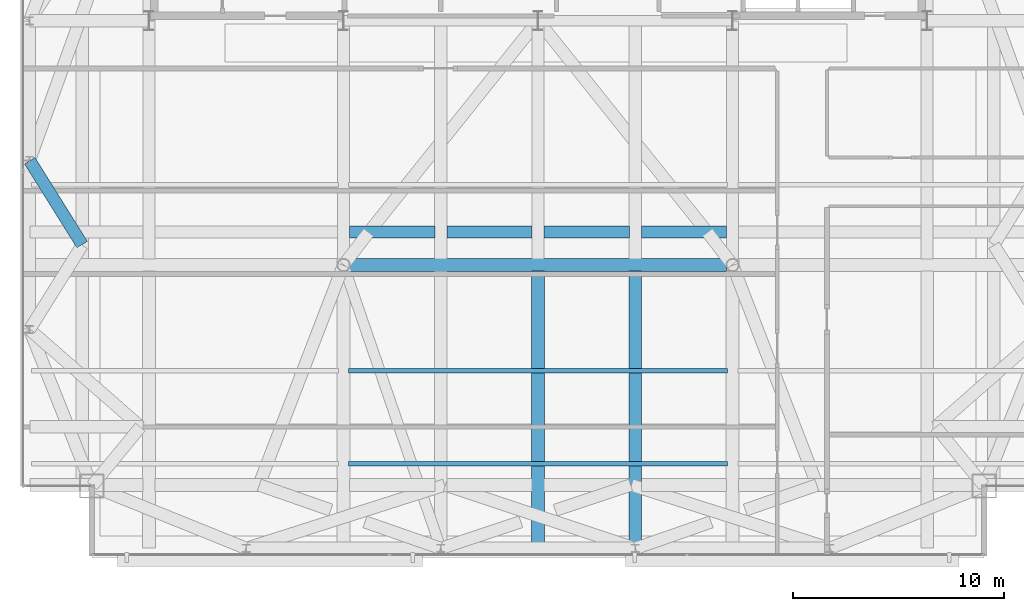
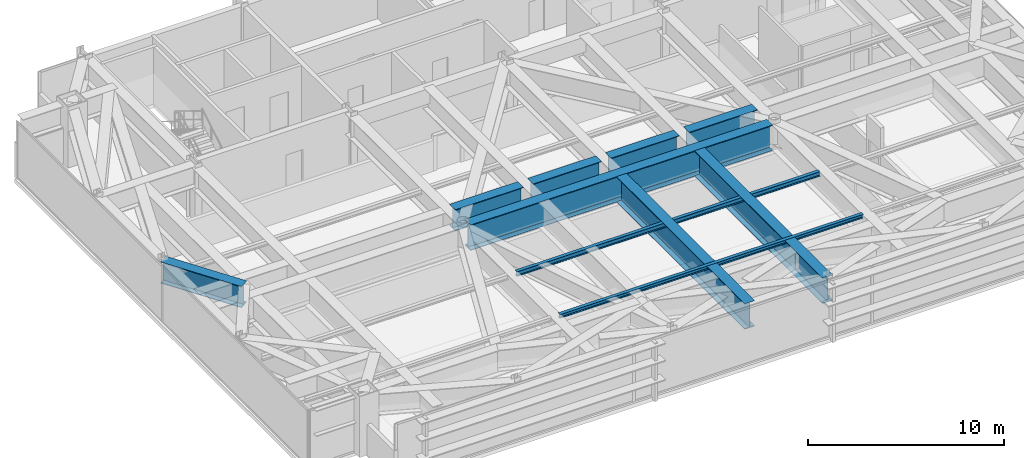
# One storey, part 9 of 23: 10 beams.
"""IFC4 building model written with IfcOpenShell, lengths in metres."""

from ifc_helpers import new_model, si_unit, direction, frame, origin, origin_2d, place, context, subcontext, project, spatial, i_section, extrude, source, transform, mapped, material, material_profile, profile_set, type_object, type_shapes, element, save


model = new_model("IFC4")

# Units and contexts
model_context = context("Model", 3, precision=1e-05, world=origin(), true_north=direction((0.0, 1.0)))
body_context = subcontext(model_context, "Body", "Model", "MODEL_VIEW")
ifc_project = project(units=[si_unit("LENGTHUNIT", "METRE"), si_unit("AREAUNIT", "SQUARE_METRE"), si_unit("VOLUMEUNIT", "CUBIC_METRE"), si_unit("PLANEANGLEUNIT", "RADIAN"), si_unit("MASSUNIT", "GRAM", prefix="KILO")], contexts=[model_context])

# Site, building, storey
site_placement = place(None, origin())
site = spatial("IfcSite", under=ifc_project, at=site_placement, CompositionType="ELEMENT")
building_placement = place(site_placement, origin())
building = spatial("IfcBuilding", under=site, at=building_placement, Name="Varnel Quay Broadcast Tower", CompositionType="ELEMENT")
storey_placement = place(building_placement, frame((0.0, 0.0, 254.60009765625)))
storey = spatial("IfcBuildingStorey", under=building, at=storey_placement, Name="L63", CompositionType="ELEMENT", Elevation=254.60009765625)

# Beams
ifc_material_1 = material(Name="Structural Steel CSA G40.21 350WT", Category="steel")
ifc_material_profile_1 = material_profile(ifc_material_1, i_section(OverallWidth=0.60009765625, OverallDepth=1.60009765625, WebThickness=0.02392578125, FlangeThickness=0.0419921875, FilletRadius=0.02197265625, at=origin_2d()), Name="WWF1600X620")
ifc_profile_set_1 = profile_set([ifc_material_profile_1], Name="Structural Steel CSA G40.21 350WT")
beam_type_1 = type_object("IfcBeamType", Name="Girder_WWF1600X620", PredefinedType="BEAM", material=ifc_profile_set_1)
shared_shape_1 = source(origin(), body_context, "Body", "SweptSolid", [
    extrude(i_section(OverallWidth=0.60009765625, OverallDepth=1.60009765625, WebThickness=0.02392578125, FlangeThickness=0.0419921875, FilletRadius=0.02197265625, at=origin_2d()), origin(), (0.0, 0.0, 1.0), 17.830078125),
])
beam_1_placement = place(storey_placement, frame((25.0849609375, 24.050048828125, 2.75), z_axis=(1.0, 0.0, 0.0), x_axis=(0.0, 1.0, 0.0)))
element("IfcBeam", 1, at=beam_1_placement, inside=storey, type_object=beam_type_1, Name="L63 Mid Transfer Spine C", PredefinedType="BEAM", context=body_context, shape_type="MappedRepresentation", body=[
    mapped(shared_shape_1, transform((0.0, 0.0, 0.0), x_axis=(1.0, 0.0, 0.0), y_axis=(0.0, 1.0, 0.0), z_axis=(0.0, 0.0, 1.0), scale=1.0)),
])
ifc_material_2 = material(Name="Structural Steel CSA G40.21 350W", Category="steel")
ifc_material_profile_2 = material_profile(ifc_material_2, i_section(OverallWidth=0.202880859375, OverallDepth=0.302978515625, WebThickness=0.007568359375, FlangeThickness=0.01318359375, FilletRadius=0.011962890625, at=origin_2d()), Name="W310X60")
ifc_profile_set_2 = profile_set([ifc_material_profile_2], Name="Structural Steel CSA G40.21 350W")
beam_type_2 = type_object("IfcBeamType", Name="Beam_W310X60", PredefinedType="JOIST", material=ifc_profile_set_2)
shared_shape_2 = source(origin(), body_context, "Body", "SweptSolid", [
    extrude(i_section(OverallWidth=0.202880859375, OverallDepth=0.302978515625, WebThickness=0.007568359375, FlangeThickness=0.01318359375, FilletRadius=0.011962890625, at=origin_2d()), origin(), (0.0, 0.0, 1.0), 17.91015625),
])
type_shapes(beam_type_2, [shared_shape_2])
beam_2_placement = place(storey_placement, frame((25.044921875, 19.050048828125, 3.3984375), z_axis=(1.0, 0.0, 0.0), x_axis=(0.0, 1.0, 0.0)))
element("IfcBeam", 2, at=beam_2_placement, inside=storey, type_object=beam_type_2, Name="L63 Central Floor Joist 2", PredefinedType="JOIST", context=body_context, shape_type="MappedRepresentation", body=[
    mapped(shared_shape_2, transform((0.0, 0.0, 0.0), x_axis=(1.0, 0.0, 0.0), y_axis=(0.0, 1.0, 0.0), z_axis=(0.0, 0.0, 1.0), scale=1.0)),
])
ifc_material_profile_3 = material_profile(ifc_material_2, i_section(OverallWidth=0.201904296875, OverallDepth=0.2470703125, WebThickness=0.00732421875, FlangeThickness=0.010986328125, FilletRadius=0.010986328125, at=origin_2d()), Name="W250X49")
ifc_profile_set_3 = profile_set([ifc_material_profile_3], Name="Structural Steel CSA G40.21 350W")
beam_type_3 = type_object("IfcBeamType", Name="Beam_W250X49", PredefinedType="JOIST", material=ifc_profile_set_3)
shared_shape_3 = source(origin(), body_context, "Body", "SweptSolid", [
    extrude(i_section(OverallWidth=0.201904296875, OverallDepth=0.2470703125, WebThickness=0.00732421875, FlangeThickness=0.010986328125, FilletRadius=0.010986328125, at=origin_2d()), origin(), (0.0, 0.0, 1.0), 17.91015625),
])
type_shapes(beam_type_3, [shared_shape_3])
beam_3_placement = place(storey_placement, frame((25.044921875, 14.64990234375, 3.426513671875), z_axis=(1.0, 0.0, 0.0), x_axis=(0.0, 1.0, 0.0)))
element("IfcBeam", 3, at=beam_3_placement, inside=storey, type_object=beam_type_3, Name="L63 Central Floor Joist 1", PredefinedType="JOIST", context=body_context, shape_type="MappedRepresentation", body=[
    mapped(shared_shape_3, transform((0.0, 0.0, 0.0), x_axis=(1.0, 0.0, 0.0), y_axis=(0.0, 1.0, 0.0), z_axis=(0.0, 0.0, 1.0), scale=1.0)),
])
shared_shape_4 = source(origin(), body_context, "Body", "SweptSolid", [
    extrude(i_section(OverallWidth=0.60009765625, OverallDepth=1.60009765625, WebThickness=0.02392578125, FlangeThickness=0.0419921875, FilletRadius=0.02197265625, at=origin_2d()), origin(), (0.0, 0.0, 1.0), 13.094970703125),
])
type_shapes(beam_type_1, [shared_shape_1, shared_shape_4])
for number, where, z_axis, x_axis, name in (
    (4, (34.0, 10.669921875, 2.75), (0.0, 1.0, 0.0), (-1.0, 0.0, 0.0), "L63 N-S Transfer Girder 4A"),
    (5, (38.60009765625, 10.669921875, 2.75), (0.0, 1.0, 0.0), (-1.0, 0.0, 0.0), "L63 N-S Transfer Girder 5A"),
):
    element("IfcBeam", number, at=place(storey_placement, frame(where, z_axis=z_axis, x_axis=x_axis)), inside=storey, type_object=beam_type_1, Name=name, PredefinedType="BEAM", context=body_context, shape_type="MappedRepresentation", body=[
        mapped(shared_shape_4, transform((0.0, 0.0, 0.0), x_axis=(1.0, 0.0, 0.0), y_axis=(0.0, 1.0, 0.0), z_axis=(0.0, 0.0, 1.0), scale=1.0)),
    ])
ifc_material_profile_4 = material_profile(ifc_material_1, i_section(OverallWidth=0.580078125, OverallDepth=1.330078125, WebThickness=0.02197265625, FlangeThickness=0.0380859375, FilletRadius=0.02001953125, at=origin_2d()), Name="WWF1330X535")
ifc_profile_set_4 = profile_set([ifc_material_profile_4], Name="Structural Steel CSA G40.21 350WT")
beam_type_4 = type_object("IfcBeamType", Name="Girder_WWF1330X535", PredefinedType="BEAM", material=ifc_profile_set_4)
shared_shape_5 = source(origin(), body_context, "Body", "SweptSolid", [
    extrude(i_section(OverallWidth=0.580078125, OverallDepth=1.330078125, WebThickness=0.02197265625, FlangeThickness=0.0380859375, FilletRadius=0.02001953125, at=origin_2d()), origin(), (0.0, 0.0, 1.0), 4.030029296875),
])
for number, where, z_axis, x_axis, name in (
    (6, (25.0849609375, 25.610107421875, 2.885009765625), (1.0, 0.0, 0.0), (0.0, 1.0, 0.0), "L63 Setback Interior Column Transfer 3"),
    (7, (29.68505859375, 25.610107421875, 2.885009765625), (1.0, 0.0, 0.0), (0.0, 1.0, 0.0), "L63 Setback Interior Column Transfer 4"),
    (8, (34.284912109375, 25.610107421875, 2.885009765625), (1.0, 0.0, 0.0), (0.0, 1.0, 0.0), "L63 Setback Interior Column Transfer 5"),
    (9, (38.885009765625, 25.610107421875, 2.885009765625), (1.0, 0.0, 0.0), (0.0, 1.0, 0.0), "L63 Setback Interior Column Transfer 6"),
):
    element("IfcBeam", number, at=place(storey_placement, frame(where, z_axis=z_axis, x_axis=x_axis)), inside=storey, type_object=beam_type_4, Name=name, PredefinedType="BEAM", context=body_context, shape_type="MappedRepresentation", body=[
        mapped(shared_shape_5, transform((0.0, 0.0, 0.0), x_axis=(1.0, 0.0, 0.0), y_axis=(0.0, 1.0, 0.0), z_axis=(0.0, 0.0, 1.0), scale=1.0)),
    ])
shared_shape_6 = source(origin(), body_context, "Body", "SweptSolid", [
    extrude(i_section(OverallWidth=0.580078125, OverallDepth=1.330078125, WebThickness=0.02197265625, FlangeThickness=0.0380859375, FilletRadius=0.02001953125, at=origin_2d()), origin(), (0.0, 0.0, 1.0), 4.6767578125),
])
type_shapes(beam_type_4, [shared_shape_5, shared_shape_6])
beam_4_placement = place(storey_placement, frame((9.960693359375, 28.98291015625, 2.885009765625), z_axis=(0.530017709514, -0.847986572772, 0.0), x_axis=(0.847986572772, 0.530017709514, 0.0)))
element("IfcBeam", 10, at=beam_4_placement, inside=storey, type_object=beam_type_4, Name="L63 Nodal Transfer Tie TC-W1-TC-W2", PredefinedType="BEAM", context=body_context, shape_type="MappedRepresentation", body=[
    mapped(shared_shape_6, transform((0.0, 0.0, 0.0), x_axis=(1.0, 0.0, 0.0), y_axis=(0.0, 1.0, 0.0), z_axis=(0.0, 0.0, 1.0), scale=1.0)),
])

save(model, "model.ifc")
